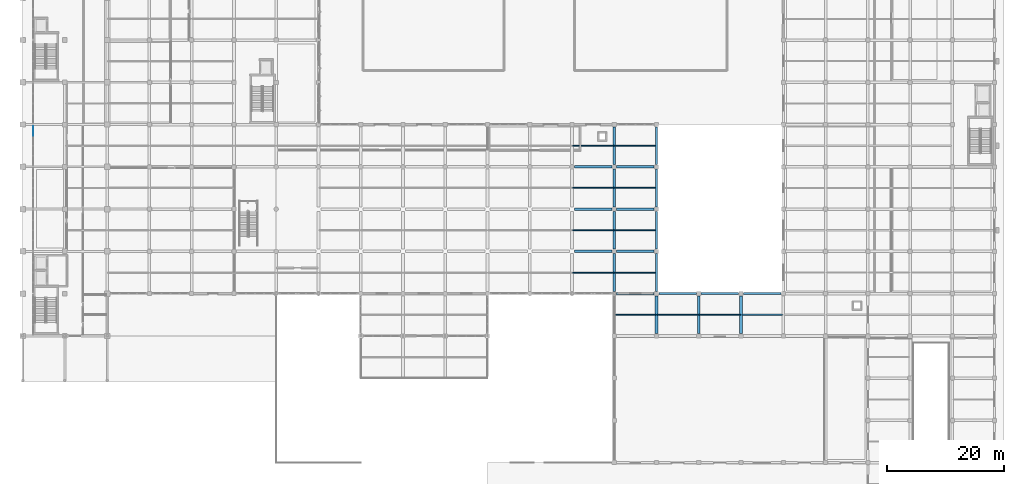
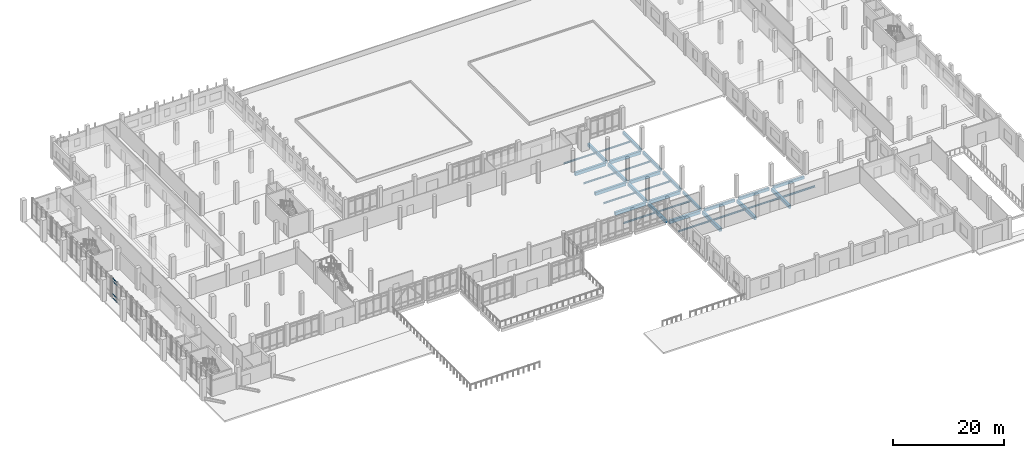
# One storey, part 19 of 59: 33 beams, 4 members, 1 element without a shape of its own.
"""IFC4 building model written with IfcOpenShell, lengths in metres."""

from ifc_helpers import new_model, si_unit, direction, frame, origin, origin_2d, place, context, subcontext, project, spatial, rectangle, i_section, extrude, material, layer, layer_set, material_profile, profile_set, type_object, element, aggregate, save


model = new_model("IFC4")

# Units and contexts
model_context = context("Model", 3, precision=1e-05, world=origin(), true_north=direction((0.0, 1.0)))
body_context = subcontext(model_context, "Body", "Model", "MODEL_VIEW")
ifc_project = project(units=[si_unit("LENGTHUNIT", "METRE"), si_unit("AREAUNIT", "SQUARE_METRE"), si_unit("VOLUMEUNIT", "CUBIC_METRE"), si_unit("PLANEANGLEUNIT", "RADIAN"), si_unit("MASSUNIT", "GRAM", prefix="KILO")], contexts=[model_context])

# Site, building, storey
site_placement = place(None, origin())
site = spatial("IfcSite", under=ifc_project, at=site_placement, CompositionType="ELEMENT")
building_placement = place(site_placement, origin())
building = spatial("IfcBuilding", under=site, at=building_placement, Name="Valkovuoma Quantum and Materials Research Institute", CompositionType="ELEMENT")
storey_placement = place(building_placement, origin())
storey = spatial("IfcBuildingStorey", under=building, at=storey_placement, Name="L00", CompositionType="ELEMENT", Elevation=0.0)

# Beams
ifc_material_1 = material(Name="Steel S355J2", Category="steel")
ifc_material_profile_1 = material_profile(ifc_material_1, i_section(OverallWidth=0.169921875, OverallDepth=0.360107421875, WebThickness=0.008056640625, FlangeThickness=0.0126953125, FilletRadius=0.01806640625, at=origin_2d()), Name="Steel S355J2")
ifc_profile_set_1 = profile_set([ifc_material_profile_1], Name="Steel S355J2")
beam_type_1 = type_object("IfcBeamType", Name="Beam-B-JST360", PredefinedType="JOIST", material=ifc_profile_set_1)
for number, where, z_axis, x_axis, name in (
    (1, (100.919921875, 32.39990234375, -0.580078125), (1.0, 0.0, 0.0), (0.0, 1.0, 0.0), "L00 floor joist 0409"),
    (2, (108.1201171875, 32.39990234375, -0.580078125), (1.0, 0.0, 0.0), (0.0, 1.0, 0.0), "L00 floor joist 0410"),
    (3, (115.320068359375, 32.39990234375, -0.580078125), (1.0, 0.0, 0.0), (0.0, 1.0, 0.0), "L00 floor joist 0411"),
    (4, (93.719970703125, 39.60009765625, -0.580078125), (1.0, 0.0, 0.0), (0.0, 1.0, 0.0), "L00 floor joist 0429"),
    (5, (100.919921875, 39.60009765625, -0.580078125), (1.0, 0.0, 0.0), (0.0, 1.0, 0.0), "L00 floor joist 0430"),
    (6, (93.719970703125, 46.800048828125, -0.580078125), (1.0, 0.0, 0.0), (0.0, 1.0, 0.0), "L00 floor joist 0446"),
    (7, (100.919921875, 46.800048828125, -0.580078125), (1.0, 0.0, 0.0), (0.0, 1.0, 0.0), "L00 floor joist 0447"),
    (8, (93.719970703125, 54.0, -0.580078125), (1.0, 0.0, 0.0), (0.0, 1.0, 0.0), "L00 floor joist 0463"),
    (9, (100.919921875, 54.0, -0.580078125), (1.0, 0.0, 0.0), (0.0, 1.0, 0.0), "L00 floor joist 0464"),
    (10, (93.719970703125, 61.199951171875, -0.580078125), (1.0, 0.0, 0.0), (0.0, 1.0, 0.0), "L00 floor joist 0482"),
    (11, (100.919921875, 61.199951171875, -0.580078125), (1.0, 0.0, 0.0), (0.0, 1.0, 0.0), "L00 floor joist 0483"),
):
    element("IfcBeam", number, at=place(storey_placement, frame(where, z_axis=z_axis, x_axis=x_axis)), inside=storey, type_object=beam_type_1, Name=name, PredefinedType="JOIST", context=body_context, shape_type="SweptSolid", body=[
        extrude(i_section(OverallWidth=0.169921875, OverallDepth=0.360107421875, WebThickness=0.008056640625, FlangeThickness=0.0126953125, FilletRadius=0.01806640625, at=origin_2d()), origin(), (0.0, 0.0, 1.0), 6.9599609375),
    ])
ifc_material_2 = material(Name="Steel S355J2", Category="steel")
ifc_material_profile_2 = material_profile(ifc_material_2, i_section(OverallWidth=0.179931640625, OverallDepth=0.39990234375, WebThickness=0.008544921875, FlangeThickness=0.013427734375, FilletRadius=0.02099609375, at=origin_2d()), Name="Steel S355J2")
ifc_profile_set_2 = profile_set([ifc_material_profile_2], Name="Steel S355J2")
beam_type_2 = type_object("IfcBeamType", Name="Beam-B-JST400", PredefinedType="JOIST", material=ifc_profile_set_2)
beam_1_placement = place(storey_placement, frame((122.52001953125, 32.39990234375, -0.60009765625), z_axis=(1.0, 0.0, 0.0), x_axis=(0.0, 1.0, 0.0)))
element("IfcBeam", 12, at=beam_1_placement, inside=storey, type_object=beam_type_2, Name="L00 floor joist 0412", PredefinedType="JOIST", context=body_context, shape_type="SweptSolid", body=[
    extrude(i_section(OverallWidth=0.179931640625, OverallDepth=0.39990234375, WebThickness=0.008544921875, FlangeThickness=0.013427734375, FilletRadius=0.02099609375, at=origin_2d()), origin(), (0.0, 0.0, 1.0), 6.9599609375),
])
ifc_material_3 = material(Name="Concrete C40/50", Category="concrete")
ifc_material_profile_3 = material_profile(ifc_material_3, rectangle(XDim=0.449951171875, YDim=0.699951171875, at=origin_2d()), Name="Concrete C40/50")
ifc_profile_set_3 = profile_set([ifc_material_profile_3], Name="Concrete C40/50")
beam_type_3 = type_object("IfcBeamType", Name="Beam-B-RC700", PredefinedType="BEAM", material=ifc_profile_set_3)
beam_2_placement = place(storey_placement, frame((101.199951171875, 36.0, -0.75), z_axis=(1.0, 0.0, 0.0), x_axis=(0.0, 1.0, 0.0)))
element("IfcBeam", 13, at=beam_2_placement, inside=storey, type_object=beam_type_3, Name="L00 beam X-0045", PredefinedType="BEAM", context=body_context, shape_type="SweptSolid", body=[
    extrude(rectangle(XDim=0.449951171875, YDim=0.699951171875, at=origin_2d()), origin(), (0.0, 0.0, 1.0), 6.400146484375),
])
beam_3_placement = place(storey_placement, frame((94.0, 43.199951171875, -0.75), z_axis=(1.0, 0.0, 0.0), x_axis=(0.0, 1.0, 0.0)))
element("IfcBeam", 14, at=beam_3_placement, inside=storey, type_object=beam_type_3, Name="L00 beam X-0067", PredefinedType="BEAM", context=body_context, shape_type="SweptSolid", body=[
    extrude(rectangle(XDim=0.449951171875, YDim=0.699951171875, at=origin_2d()), origin(), (0.0, 0.0, 1.0), 6.39990234375),
])
beam_4_placement = place(storey_placement, frame((101.199951171875, 43.199951171875, -0.75), z_axis=(1.0, 0.0, 0.0), x_axis=(0.0, 1.0, 0.0)))
element("IfcBeam", 15, at=beam_4_placement, inside=storey, type_object=beam_type_3, Name="L00 beam X-0068", PredefinedType="BEAM", context=body_context, shape_type="SweptSolid", body=[
    extrude(rectangle(XDim=0.449951171875, YDim=0.699951171875, at=origin_2d()), origin(), (0.0, 0.0, 1.0), 6.400146484375),
])
beam_5_placement = place(storey_placement, frame((94.0, 50.39990234375, -0.75), z_axis=(1.0, 0.0, 0.0), x_axis=(0.0, 1.0, 0.0)))
element("IfcBeam", 16, at=beam_5_placement, inside=storey, type_object=beam_type_3, Name="L00 beam X-0085", PredefinedType="BEAM", context=body_context, shape_type="SweptSolid", body=[
    extrude(rectangle(XDim=0.449951171875, YDim=0.699951171875, at=origin_2d()), origin(), (0.0, 0.0, 1.0), 6.39990234375),
])
beam_6_placement = place(storey_placement, frame((101.199951171875, 50.39990234375, -0.75), z_axis=(1.0, 0.0, 0.0), x_axis=(0.0, 1.0, 0.0)))
element("IfcBeam", 17, at=beam_6_placement, inside=storey, type_object=beam_type_3, Name="L00 beam X-0086", PredefinedType="BEAM", context=body_context, shape_type="SweptSolid", body=[
    extrude(rectangle(XDim=0.449951171875, YDim=0.699951171875, at=origin_2d()), origin(), (0.0, 0.0, 1.0), 6.400146484375),
])
beam_7_placement = place(storey_placement, frame((94.0, 57.60009765625, -0.75), z_axis=(1.0, 0.0, 0.0), x_axis=(0.0, 1.0, 0.0)))
element("IfcBeam", 18, at=beam_7_placement, inside=storey, type_object=beam_type_3, Name="L00 beam X-0105", PredefinedType="BEAM", context=body_context, shape_type="SweptSolid", body=[
    extrude(rectangle(XDim=0.449951171875, YDim=0.699951171875, at=origin_2d()), origin(), (0.0, 0.0, 1.0), 6.39990234375),
])
for number, where, z_axis, x_axis, name in (
    (19, (101.199951171875, 57.60009765625, -0.75), (1.0, 0.0, 0.0), (0.0, 1.0, 0.0), "L00 beam X-0106"),
    (20, (100.800048828125, 36.39990234375, -0.75), (0.0, 1.0, 0.0), (-1.0, 0.0, 0.0), "L00 beam Y-0298"),
):
    element("IfcBeam", number, at=place(storey_placement, frame(where, z_axis=z_axis, x_axis=x_axis)), inside=storey, type_object=beam_type_3, Name=name, PredefinedType="BEAM", context=body_context, shape_type="SweptSolid", body=[
        extrude(rectangle(XDim=0.449951171875, YDim=0.699951171875, at=origin_2d()), origin(), (0.0, 0.0, 1.0), 6.400146484375),
    ])
for number, where, z_axis, x_axis, name in (
    (21, (100.800048828125, 43.60009765625, -0.75), (0.0, 1.0, 0.0), (-1.0, 0.0, 0.0), "L00 beam Y-0299"),
    (22, (100.800048828125, 50.800048828125, -0.75), (0.0, 1.0, 0.0), (-1.0, 0.0, 0.0), "L00 beam Y-0300"),
    (23, (100.800048828125, 58.0, -0.75), (0.0, 1.0, 0.0), (-1.0, 0.0, 0.0), "L00 beam Y-0301"),
):
    element("IfcBeam", number, at=place(storey_placement, frame(where, z_axis=z_axis, x_axis=x_axis)), inside=storey, type_object=beam_type_3, Name=name, PredefinedType="BEAM", context=body_context, shape_type="SweptSolid", body=[
        extrude(rectangle(XDim=0.449951171875, YDim=0.699951171875, at=origin_2d()), origin(), (0.0, 0.0, 1.0), 6.39990234375),
    ])
for number, where, z_axis, x_axis, name in (
    (24, (108.0, 29.199951171875, -0.75), (0.0, 1.0, 0.0), (-1.0, 0.0, 0.0), "L00 beam Y-0302"),
    (25, (115.199951171875, 29.199951171875, -0.75), (0.0, 1.0, 0.0), (-1.0, 0.0, 0.0), "L00 beam Y-0307"),
    (26, (122.39990234375, 29.199951171875, -0.75), (0.0, 1.0, 0.0), (-1.0, 0.0, 0.0), "L00 beam Y-0308"),
):
    element("IfcBeam", number, at=place(storey_placement, frame(where, z_axis=z_axis, x_axis=x_axis)), inside=storey, type_object=beam_type_3, Name=name, PredefinedType="BEAM", context=body_context, shape_type="SweptSolid", body=[
        extrude(rectangle(XDim=0.449951171875, YDim=0.699951171875, at=origin_2d()), origin(), (0.0, 0.0, 1.0), 6.400146484375),
    ])
ifc_material_4 = material(Name="Concrete C40/50", Category="concrete")
ifc_material_profile_4 = material_profile(ifc_material_4, rectangle(XDim=0.35009765625, YDim=0.60009765625, at=origin_2d()), Name="Concrete C40/50")
ifc_profile_set_4 = profile_set([ifc_material_profile_4], Name="Concrete C40/50")
beam_type_4 = type_object("IfcBeamType", Name="Beam-B-SPN600", PredefinedType="SPANDREL", material=ifc_profile_set_4)
beam_8_placement = place(storey_placement, frame((108.39990234375, 36.0, -0.699951171875), z_axis=(1.0, 0.0, 0.0), x_axis=(0.0, 1.0, 0.0)))
element("IfcBeam", 27, at=beam_8_placement, inside=storey, type_object=beam_type_4, Name="L00 beam X-0046", PredefinedType="SPANDREL", context=body_context, shape_type="SweptSolid", body=[
    extrude(rectangle(XDim=0.35009765625, YDim=0.60009765625, at=origin_2d()), origin(), (0.0, 0.0, 1.0), 6.400146484375),
])
for number, where, z_axis, x_axis, name in (
    (28, (115.60009765625, 36.0, -0.699951171875), (1.0, 0.0, 0.0), (0.0, 1.0, 0.0), "L00 beam X-0047"),
    (29, (122.800048828125, 36.0, -0.699951171875), (1.0, 0.0, 0.0), (0.0, 1.0, 0.0), "L00 beam X-0048"),
):
    element("IfcBeam", number, at=place(storey_placement, frame(where, z_axis=z_axis, x_axis=x_axis)), inside=storey, type_object=beam_type_4, Name=name, PredefinedType="SPANDREL", context=body_context, shape_type="SweptSolid", body=[
        extrude(rectangle(XDim=0.35009765625, YDim=0.60009765625, at=origin_2d()), origin(), (0.0, 0.0, 1.0), 6.39990234375),
    ])
beam_9_placement = place(storey_placement, frame((108.0, 36.39990234375, -0.699951171875), z_axis=(0.0, 1.0, 0.0), x_axis=(-1.0, 0.0, 0.0)))
element("IfcBeam", 30, at=beam_9_placement, inside=storey, type_object=beam_type_4, Name="L00 beam Y-0303", PredefinedType="SPANDREL", context=body_context, shape_type="SweptSolid", body=[
    extrude(rectangle(XDim=0.35009765625, YDim=0.60009765625, at=origin_2d()), origin(), (0.0, 0.0, 1.0), 6.400146484375),
])
for number, where, z_axis, x_axis, name in (
    (31, (108.0, 43.60009765625, -0.699951171875), (0.0, 1.0, 0.0), (-1.0, 0.0, 0.0), "L00 beam Y-0304"),
    (32, (108.0, 50.800048828125, -0.699951171875), (0.0, 1.0, 0.0), (-1.0, 0.0, 0.0), "L00 beam Y-0305"),
    (33, (108.0, 58.0, -0.699951171875), (0.0, 1.0, 0.0), (-1.0, 0.0, 0.0), "L00 beam Y-0306"),
):
    element("IfcBeam", number, at=place(storey_placement, frame(where, z_axis=z_axis, x_axis=x_axis)), inside=storey, type_object=beam_type_4, Name=name, PredefinedType="SPANDREL", context=body_context, shape_type="SweptSolid", body=[
        extrude(rectangle(XDim=0.35009765625, YDim=0.60009765625, at=origin_2d()), origin(), (0.0, 0.0, 1.0), 6.39990234375),
    ])

# Curtain wall, members
ifc_material_5 = material(Name="Thermally broken aluminium and triple low-E glazing", Category="aluminium")
ifc_layer = layer(ifc_material_5, 0.219970703125)
ifc_layer_set = layer_set([ifc_layer], Name="Thermally broken aluminium and triple low-E glazing")
curtain_wall_type = type_object("IfcCurtainWallType", Name="CW-CW-03", PredefinedType="NOTDEFINED", material=ifc_layer_set)
curtain_wall_placement = place(storey_placement, origin())
curtain_wall = element("IfcCurtainWall", 34, at=curtain_wall_placement, inside=storey, type_object=curtain_wall_type, Name="L00 curtain wall 004", PredefinedType="NOTDEFINED")
ifc_material_6 = material(Name="Anodised aluminium 6060-T66", Category="aluminium")
ifc_material_profile_5 = material_profile(ifc_material_6, rectangle(XDim=0.06494140625, YDim=0.139892578125, at=origin_2d()), Name="Anodised aluminium 6060-T66")
ifc_profile_set_5 = profile_set([ifc_material_profile_5], Name="Anodised aluminium 6060-T66")
member_type = type_object("IfcMemberType", Name="CWTran-CWT-01", PredefinedType="USERDEFINED", material=ifc_profile_set_5)
member_1_placement = place(storey_placement, frame((1.800048828125, 62.9375, 0.032470703125), z_axis=(0.0, 1.0, 0.0), x_axis=(-1.0, 0.0, 0.0)))
member_1 = element("IfcMember", 35, at=member_1_placement, type_object=member_type, Name="CW-03 transom 4.1", ObjectType="TRANSOM", PredefinedType="USERDEFINED", context=body_context, shape_type="SweptSolid", body=[
    extrude(rectangle(XDim=0.06494140625, YDim=0.139892578125, at=origin_2d()), origin(), (0.0, 0.0, 1.0), 1.58740234375),
])
member_2_placement = place(storey_placement, frame((1.800048828125, 62.9375, 0.949951171875), z_axis=(0.0, 1.0, 0.0), x_axis=(-1.0, 0.0, 0.0)))
member_2 = element("IfcMember", 36, at=member_2_placement, type_object=member_type, Name="CW-03 transom 4.2", ObjectType="TRANSOM", PredefinedType="USERDEFINED", context=body_context, shape_type="SweptSolid", body=[
    extrude(rectangle(XDim=0.06494140625, YDim=0.139892578125, at=origin_2d()), origin(), (0.0, 0.0, 1.0), 1.58740234375),
])
member_3_placement = place(storey_placement, frame((1.800048828125, 62.9375, 3.75), z_axis=(0.0, 1.0, 0.0), x_axis=(-1.0, 0.0, 0.0)))
member_3 = element("IfcMember", 37, at=member_3_placement, type_object=member_type, Name="CW-03 transom 4.3", ObjectType="TRANSOM", PredefinedType="USERDEFINED", context=body_context, shape_type="SweptSolid", body=[
    extrude(rectangle(XDim=0.06494140625, YDim=0.139892578125, at=origin_2d()), origin(), (0.0, 0.0, 1.0), 1.58740234375),
])
member_4_placement = place(storey_placement, frame((1.800048828125, 62.9375, 4.367431640625), z_axis=(0.0, 1.0, 0.0), x_axis=(-1.0, 0.0, 0.0)))
member_4 = element("IfcMember", 38, at=member_4_placement, type_object=member_type, Name="CW-03 transom 4.4", ObjectType="TRANSOM", PredefinedType="USERDEFINED", context=body_context, shape_type="SweptSolid", body=[
    extrude(rectangle(XDim=0.06494140625, YDim=0.139892578125, at=origin_2d()), origin(), (0.0, 0.0, 1.0), 1.58740234375),
])
aggregate(curtain_wall, [member_1, member_2, member_3, member_4])

save(model, "model.ifc")
